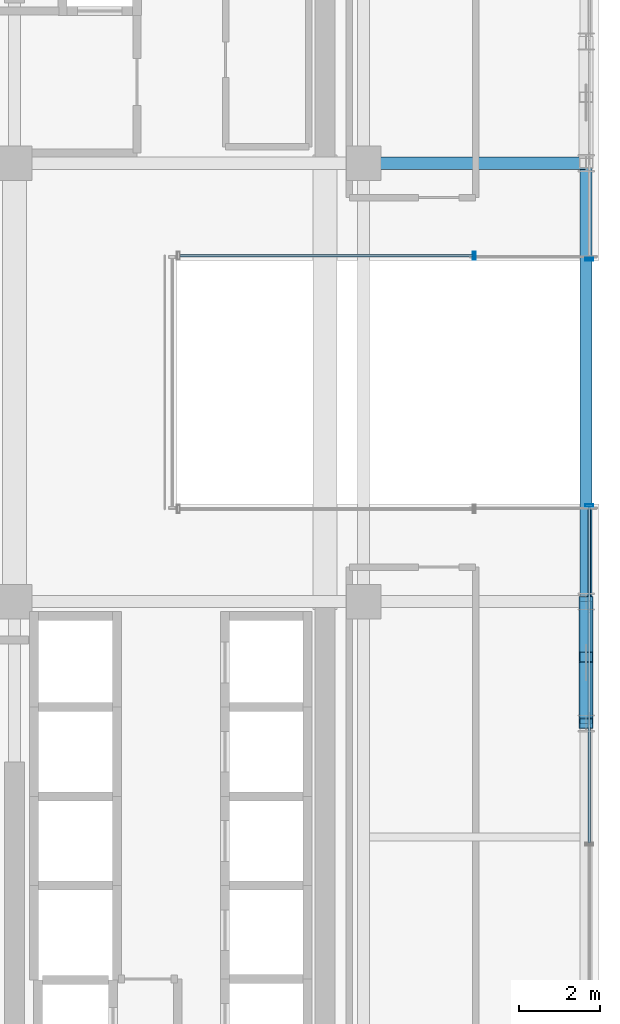
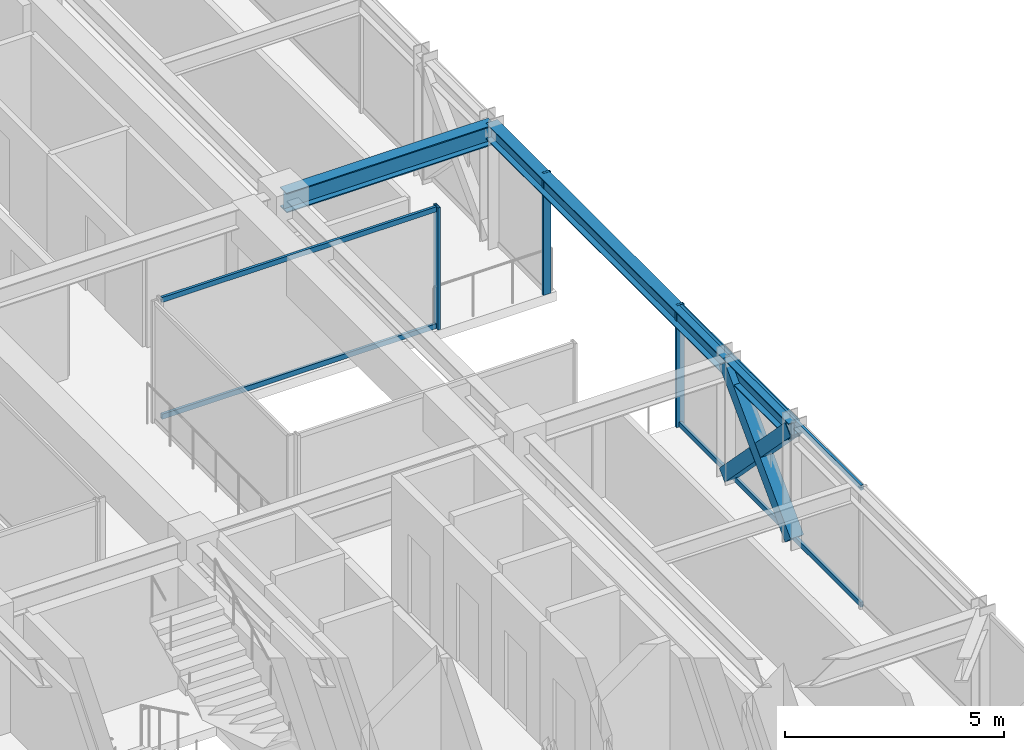
# One storey, part 18 of 35: 10 members, 3 beams, 3 elements without a shape of their own.
"""IFC4 building model written with IfcOpenShell, lengths in metres."""

from ifc_helpers import new_model, si_unit, direction, frame, origin, origin_2d, place, context, subcontext, project, spatial, hollow_rectangle, i_section, extrude, source, transform, mapped, material, material_profile, profile_set, type_object, element, aggregate, save


model = new_model("IFC4")

# Units and contexts
model_context = context("Model", 3, precision=1e-05, world=origin(), true_north=direction((0.0, 1.0)))
body_context = subcontext(model_context, "Body", "Model", "MODEL_VIEW")
ifc_project = project(units=[si_unit("LENGTHUNIT", "METRE"), si_unit("AREAUNIT", "SQUARE_METRE"), si_unit("VOLUMEUNIT", "CUBIC_METRE"), si_unit("PLANEANGLEUNIT", "RADIAN"), si_unit("MASSUNIT", "GRAM", prefix="KILO")], contexts=[model_context])

# Site, building, storey
site_placement = place(None, origin())
site = spatial("IfcSite", under=ifc_project, at=site_placement, CompositionType="ELEMENT")
building_placement = place(site_placement, origin())
building = spatial("IfcBuilding", under=site, at=building_placement, Name="Nahalor Promenade Grand Hotel", CompositionType="ELEMENT")
storey_placement = place(building_placement, frame((0.0, 0.0, 185.5)))
storey = spatial("IfcBuildingStorey", under=building, at=storey_placement, Name="L47", CompositionType="ELEMENT", Elevation=185.5)

# Beams
ifc_material_1 = material(Name="Steel S355JR", Category="steel")
ifc_material_profile_1 = material_profile(ifc_material_1, i_section(OverallWidth=0.3, OverallDepth=0.55, WebThickness=0.015, FlangeThickness=0.029, at=origin_2d()), Name="HEB 550")
ifc_profile_set_1 = profile_set([ifc_material_profile_1], Name="Steel S355JR")
beam_type_1 = type_object("IfcBeamType", Name="Beam-Girder-HEB550", PredefinedType="BEAM", material=ifc_profile_set_1)
shared_shape_1 = source(origin(), body_context, "Body", "SweptSolid", [
    extrude(i_section(OverallWidth=0.3, OverallDepth=0.55, WebThickness=0.015, FlangeThickness=0.029, at=origin_2d()), origin(), (0.0, 0.0, 1.0), 5.47998046875),
])
beam_1_placement = place(storey_placement, frame((17.0, 5.39990234375, 3.114990234375), z_axis=(1.0, 0.0, 0.0), x_axis=(0.0, 1.0, 0.0)))
element("IfcBeam", 1, at=beam_1_placement, inside=storey, type_object=beam_type_1, Name="BM-L47-GX-2-6", PredefinedType="BEAM", context=body_context, shape_type="MappedRepresentation", body=[
    mapped(shared_shape_1, transform((0.0, 0.0, 0.0), scale=1.0)),
])
ifc_material_profile_2 = material_profile(ifc_material_1, i_section(OverallWidth=0.3, OverallDepth=0.45, WebThickness=0.014, FlangeThickness=0.026, at=origin_2d()), Name="HEB 450")
ifc_profile_set_2 = profile_set([ifc_material_profile_2], Name="Steel S355JR")
beam_type_2 = type_object("IfcBeamType", Name="Beam-Spandrel-HEB450", PredefinedType="SPANDREL", material=ifc_profile_set_2)
shared_shape_2 = source(origin(), body_context, "Body", "SweptSolid", [
    extrude(i_section(OverallWidth=0.3, OverallDepth=0.45, WebThickness=0.014, FlangeThickness=0.026, at=origin_2d()), origin(), (0.0, 0.0, 1.0), 3.0),
])
beam_2_placement = place(storey_placement, frame((22.47998046875, -8.39990234375, 3.1650390625), z_axis=(0.0, 1.0, 0.0), x_axis=(-1.0, 0.0, 0.0)))
element("IfcBeam", 2, at=beam_2_placement, inside=storey, type_object=beam_type_2, Name="BM-L47-SP-E-1", PredefinedType="SPANDREL", context=body_context, shape_type="MappedRepresentation", body=[
    mapped(shared_shape_2, transform((0.0, 0.0, 0.0), scale=1.0)),
])
shared_shape_3 = source(origin(), body_context, "Body", "SweptSolid", [
    extrude(i_section(OverallWidth=0.3, OverallDepth=0.45, WebThickness=0.014, FlangeThickness=0.026, at=origin_2d()), origin(), (0.0, 0.0, 1.0), 10.7998046875),
])
beam_3_placement = place(storey_placement, frame((22.47998046875, -5.39990234375, 3.1650390625), z_axis=(0.0, 1.0, 0.0), x_axis=(-1.0, 0.0, 0.0)))
element("IfcBeam", 3, at=beam_3_placement, inside=storey, type_object=beam_type_2, Name="BM-L47-SP-E-2", PredefinedType="SPANDREL", context=body_context, shape_type="MappedRepresentation", body=[
    mapped(shared_shape_3, transform((0.0, 0.0, 0.0), scale=1.0)),
])

# Members
ifc_material_profile_3 = material_profile(ifc_material_1, hollow_rectangle(XDim=0.35, YDim=0.35, WallThickness=0.02, at=origin_2d()), Name="SHS 350x350x20")
ifc_profile_set_3 = profile_set([ifc_material_profile_3], Name="Steel S355JR")
member_type_1 = type_object("IfcMemberType", Name="Mem-VoidBrace-SHS350", PredefinedType="BRACE", material=ifc_profile_set_3)
shared_shape_4 = source(origin(), body_context, "Body", "SweptSolid", [
    extrude(hollow_rectangle(XDim=0.35, YDim=0.35, WallThickness=0.02, at=origin_2d()), origin(), (0.0, 0.0, 1.0), 1.96630859375),
])
member_1_placement = place(storey_placement, frame((22.47998046875, -7.0302734375, 1.8291015625), z_axis=(0.0, -0.696537426897, 0.717520461682), x_axis=(1.0, 0.0, 0.0)))
element("IfcMember", 4, at=member_1_placement, inside=storey, type_object=member_type_1, Name="EXO-L47-VX2-E0B", PredefinedType="BRACE", context=body_context, shape_type="MappedRepresentation", body=[
    mapped(shared_shape_4, transform((0.0, 0.0, 0.0), scale=1.0)),
])
shared_shape_5 = source(origin(), body_context, "Body", "SweptSolid", [
    extrude(hollow_rectangle(XDim=0.35, YDim=0.35, WallThickness=0.02, at=origin_2d()), origin(), (0.0, 0.0, 1.0), 4.306884765625),
])
member_2_placement = place(storey_placement, frame((22.47998046875, -8.39990234375, 0.14990234375), z_axis=(0.0, 0.696570665899, 0.717488193219), x_axis=(-1.0, 0.0, 0.0)))
element("IfcMember", 5, at=member_2_placement, inside=storey, type_object=member_type_1, Name="EXO-L47-VX1-E0", PredefinedType="BRACE", context=body_context, shape_type="MappedRepresentation", body=[
    mapped(shared_shape_5, transform((0.0, 0.0, 0.0), scale=1.0)),
])
shared_shape_6 = source(origin(), body_context, "Body", "SweptSolid", [
    extrude(hollow_rectangle(XDim=0.35, YDim=0.35, WallThickness=0.02, at=origin_2d()), origin(), (0.0, 0.0, 1.0), 1.966552734375),
])
member_3_placement = place(storey_placement, frame((22.47998046875, -5.39990234375, 0.14990234375), z_axis=(0.0, -0.696601340579, 0.71745841155), x_axis=(1.0, 0.0, 0.0)))
element("IfcMember", 6, at=member_3_placement, inside=storey, type_object=member_type_1, Name="EXO-L47-VX2-E0A", PredefinedType="BRACE", context=body_context, shape_type="MappedRepresentation", body=[
    mapped(shared_shape_6, transform((0.0, 0.0, 0.0), scale=1.0)),
])

# Curtain wall, members
ifc_material_2 = material(Name="Anodised Bronze Aluminium EN AW-6063 T6", Category="aluminium")
curtain_wall_type = type_object("IfcCurtainWallType", Name="CW3 Elliptical-Void Collar Unitised Curtain Wall", PredefinedType="USERDEFINED", material=ifc_material_2)
curtain_wall_1_placement = place(storey_placement, origin())
curtain_wall_1 = element("IfcCurtainWall", 7, at=curtain_wall_1_placement, inside=storey, type_object=curtain_wall_type, Name="L47 Curtain Wall CW-L47-E-1", ObjectType="UNITISED_CURTAIN_WALL", PredefinedType="USERDEFINED")
ifc_material_profile_4 = material_profile(ifc_material_2, hollow_rectangle(XDim=0.07, YDim=0.14, WallThickness=0.004, at=origin_2d()), Name="CWT 70x140x4")
ifc_profile_set_4 = profile_set([ifc_material_profile_4], Name="Anodised Bronze Aluminium EN AW-6063 T6")
member_type_2 = type_object("IfcMemberType", Name="CWT3 Void Collar Transom 70x140", PredefinedType="USERDEFINED", material=ifc_profile_set_4)
shared_shape_7 = source(origin(), body_context, "Body", "SweptSolid", [
    extrude(hollow_rectangle(XDim=0.07, YDim=0.14, WallThickness=0.004, at=origin_2d()), origin(), (0.0, 0.0, 1.0), 8.275390625),
])
member_4_placement = place(storey_placement, frame((22.56005859375, -11.344482421875, 0.070068359375), z_axis=(0.0, 1.0, 0.0), x_axis=(-1.0, 0.0, 0.0)))
member_4 = element("IfcMember", 8, at=member_4_placement, type_object=member_type_2, Name="CW-L47-E-1 Transom 1-0", ObjectType="TRANSOM", PredefinedType="USERDEFINED", context=body_context, shape_type="MappedRepresentation", body=[
    mapped(shared_shape_7, transform((0.0, 0.0, 0.0), scale=1.0)),
])
member_5_placement = place(storey_placement, frame((22.56005859375, -11.344482421875, 3.320068359375), z_axis=(0.0, 1.0, 0.0), x_axis=(-1.0, 0.0, 0.0)))
member_5 = element("IfcMember", 9, at=member_5_placement, type_object=member_type_2, Name="CW-L47-E-1 Transom 1-1", ObjectType="TRANSOM", PredefinedType="USERDEFINED", context=body_context, shape_type="MappedRepresentation", body=[
    mapped(shared_shape_7, transform((0.0, 0.0, 0.0), scale=1.0)),
])

curtain_wall_2_placement = place(storey_placement, origin())
curtain_wall_2 = element("IfcCurtainWall", 10, at=curtain_wall_2_placement, inside=storey, type_object=curtain_wall_type, Name="L47 Curtain Wall CW-L47-VOID-EN1", ObjectType="UNITISED_CURTAIN_WALL", PredefinedType="USERDEFINED")
shared_shape_8 = source(origin(), body_context, "Body", "SweptSolid", [
    extrude(hollow_rectangle(XDim=0.07, YDim=0.14, WallThickness=0.004, at=origin_2d()), origin(), (0.0, 0.0, 1.0), 7.219970703125),
])
member_6_placement = place(storey_placement, frame((12.469970703125, 3.118896484375, 0.070068359375), z_axis=(1.0, 0.0, 0.0), x_axis=(0.0, 1.0, 0.0)))
member_6 = element("IfcMember", 11, at=member_6_placement, type_object=member_type_2, Name="CW-L47-VOID-EN1 Transom 0-0", ObjectType="TRANSOM", PredefinedType="USERDEFINED", context=body_context, shape_type="MappedRepresentation", body=[
    mapped(shared_shape_8, transform((0.0, 0.0, 0.0), scale=1.0)),
])
member_7_placement = place(storey_placement, frame((12.469970703125, 3.118896484375, 3.320068359375), z_axis=(1.0, 0.0, 0.0), x_axis=(0.0, 1.0, 0.0)))
member_7 = element("IfcMember", 12, at=member_7_placement, type_object=member_type_2, Name="CW-L47-VOID-EN1 Transom 0-1", ObjectType="TRANSOM", PredefinedType="USERDEFINED", context=body_context, shape_type="MappedRepresentation", body=[
    mapped(shared_shape_8, transform((0.0, 0.0, 0.0), scale=1.0)),
])

# Member
ifc_material_profile_5 = material_profile(ifc_material_2, hollow_rectangle(XDim=0.07, YDim=0.2, WallThickness=0.005, at=origin_2d()), Name="CWM 70x200x5")
ifc_profile_set_5 = profile_set([ifc_material_profile_5], Name="Anodised Bronze Aluminium EN AW-6063 T6")
member_type_3 = type_object("IfcMemberType", Name="CWM3 Void Collar Mullion 70x200", PredefinedType="MULLION", material=ifc_profile_set_5)
shared_shape_9 = source(origin(), body_context, "Body", "SweptSolid", [
    extrude(hollow_rectangle(XDim=0.07, YDim=0.2, WallThickness=0.005, at=origin_2d()), origin(), (0.0, 0.0, 1.0), 3.389892578125),
])
member_8_placement = place(storey_placement, frame((22.56005859375, -3.033935546875, 0.0), z_axis=(0.0, 0.0, 1.0), x_axis=(0.0, 1.0, 0.0)))
member_8 = element("IfcMember", 13, at=member_8_placement, type_object=member_type_3, Name="CW-L47-E-1 Mullion 2", PredefinedType="MULLION", context=body_context, shape_type="MappedRepresentation", body=[
    mapped(shared_shape_9, transform((0.0, 0.0, 0.0), scale=1.0)),
])

aggregate(curtain_wall_1, [member_8, member_4, member_5])

# Curtain wall, member
curtain_wall_3_placement = place(storey_placement, origin())
curtain_wall_3 = element("IfcCurtainWall", 14, at=curtain_wall_3_placement, inside=storey, type_object=curtain_wall_type, Name="L47 Curtain Wall CW-L47-E-2", ObjectType="UNITISED_CURTAIN_WALL", PredefinedType="USERDEFINED")
member_9_placement = place(storey_placement, frame((22.56005859375, 3.033935546875, 0.0), z_axis=(0.0, 0.0, 1.0), x_axis=(0.0, 1.0, 0.0)))
member_9 = element("IfcMember", 15, at=member_9_placement, type_object=member_type_3, Name="CW-L47-E-2 Mullion 0", PredefinedType="MULLION", context=body_context, shape_type="MappedRepresentation", body=[
    mapped(shared_shape_9, transform((0.0, 0.0, 0.0), scale=1.0)),
])
aggregate(curtain_wall_3, [member_9])

# Member
member_10_placement = place(storey_placement, frame((19.72509765625, 3.118896484375, 0.0), z_axis=(0.0, 0.0, 1.0), x_axis=(1.0, 0.0, 0.0)))
member_10 = element("IfcMember", 16, at=member_10_placement, type_object=member_type_3, Name="CW-L47-VOID-EN1 Mullion 1", PredefinedType="MULLION", context=body_context, shape_type="MappedRepresentation", body=[
    mapped(shared_shape_9, transform((0.0, 0.0, 0.0), scale=1.0)),
])

aggregate(curtain_wall_2, [member_10, member_6, member_7])

save(model, "model.ifc")
